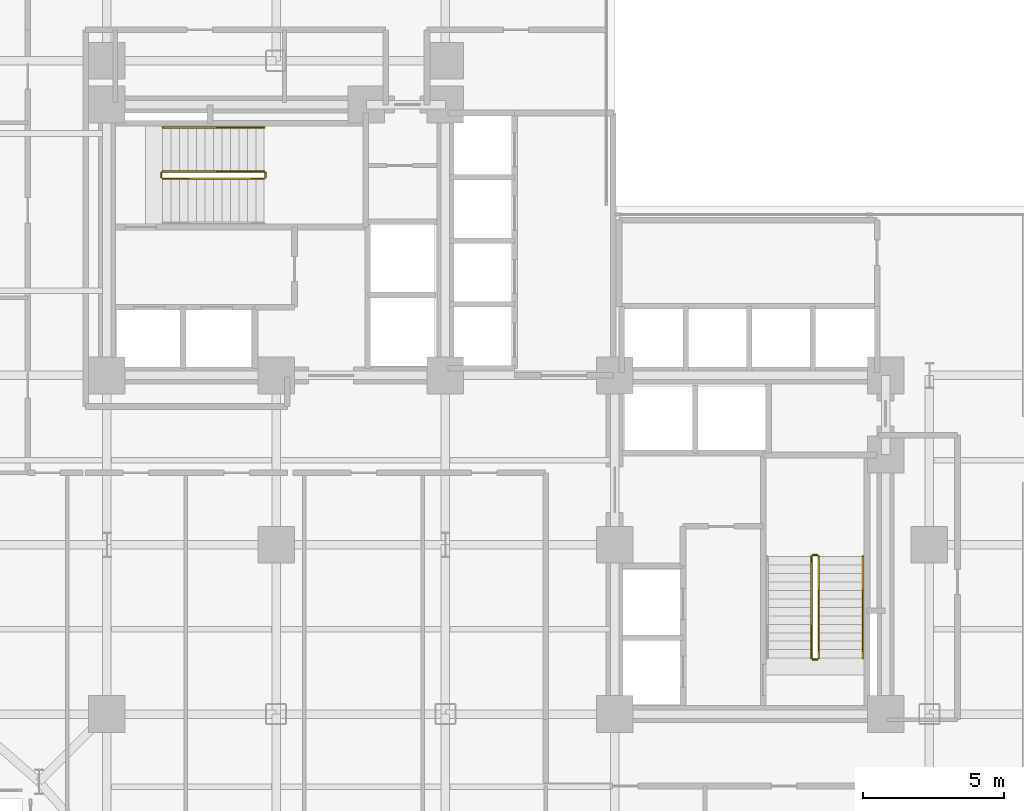
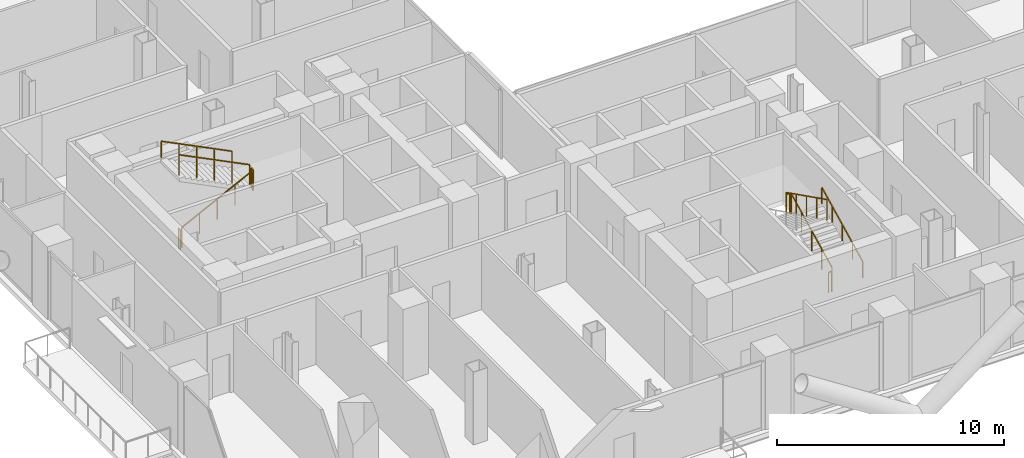
# One storey, part 25 of 25: 10 railings.
"""IFC4 building model written with IfcOpenShell, lengths in metres."""

from ifc_helpers import new_model, si_unit, direction, frame, origin, origin_2d, place, context, subcontext, project, spatial, rectangle, extrude, material, type_object, element, save


model = new_model("IFC4")

# Units and contexts
model_context = context("Model", 3, precision=1e-05, world=origin(), true_north=direction((0.0, 1.0)))
body_context = subcontext(model_context, "Body", "Model", "MODEL_VIEW")
ifc_project = project(units=[si_unit("LENGTHUNIT", "METRE"), si_unit("AREAUNIT", "SQUARE_METRE"), si_unit("VOLUMEUNIT", "CUBIC_METRE"), si_unit("PLANEANGLEUNIT", "RADIAN"), si_unit("MASSUNIT", "GRAM", prefix="KILO"), si_unit("THERMODYNAMICTEMPERATUREUNIT", "KELVIN"), si_unit("POWERUNIT", "WATT")], contexts=[model_context])

# Site, building, storey
site_placement = place(None, origin())
site = spatial("IfcSite", under=ifc_project, at=site_placement, CompositionType="ELEMENT")
building_placement = place(site_placement, origin())
building = spatial("IfcBuilding", under=site, at=building_placement, Name="Svarakhadi Broadcast Tower", CompositionType="ELEMENT")
storey_placement = place(building_placement, frame((0.0, 0.0, 48.0)))
storey = spatial("IfcBuildingStorey", under=building, at=storey_placement, Name="L10", CompositionType="ELEMENT", Elevation=48.0)

# Railings
ifc_material = material(Name="Anodised Bronze Aluminium AA 6063-T6", Category="aluminium")
railing_type_1 = type_object("IfcRailingType", Name="Guard_Stair_GR01", PredefinedType="GUARDRAIL", material=ifc_material)
railing_1_placement = place(storey_placement, frame((7.97998046875, 24.969970703125, 0.14990234375)))
element("IfcRailing", 1, at=railing_1_placement, inside=storey, type_object=railing_type_1, Name="L10 ST-01 stair guard 1", PredefinedType="GUARDRAIL", context=body_context, shape_type="SweptSolid", body=[
    extrude(rectangle(XDim=0.048095703125, YDim=0.048095703125, at=origin_2d()), frame((0.0, 0.0, 1.09619140625), z_axis=(0.894427191, 0.0, 0.4472135955), x_axis=(0.0, 1.0, 0.0)), (0.0, 0.0, 1.0), 4.025146484375),
    extrude(rectangle(XDim=0.0419921875, YDim=0.0419921875, at=origin_2d()), origin(), (0.0, 0.0, 1.0), 1.072021484375),
    extrude(rectangle(XDim=0.0419921875, YDim=0.0419921875, at=origin_2d()), frame((0.89990234375, 0.0, 0.449951171875)), (0.0, 0.0, 1.0), 1.072021484375),
    extrude(rectangle(XDim=0.0419921875, YDim=0.0419921875, at=origin_2d()), frame((1.800048828125, 0.0, 0.89990234375)), (0.0, 0.0, 1.0), 1.072021484375),
    extrude(rectangle(XDim=0.0419921875, YDim=0.0419921875, at=origin_2d()), frame((2.7001953125, 0.0, 1.35009765625)), (0.0, 0.0, 1.0), 1.072021484375),
    extrude(rectangle(XDim=0.0419921875, YDim=0.0419921875, at=origin_2d()), frame((3.60009765625, 0.0, 1.800048828125)), (0.0, 0.0, 1.0), 1.072021484375),
])
railing_2_placement = place(storey_placement, frame((11.6298828125, 25.02001953125, 1.949951171875)))
element("IfcRailing", 2, at=railing_2_placement, inside=storey, type_object=railing_type_1, Name="L10 ST-01 stair guard 2", PredefinedType="GUARDRAIL", context=body_context, shape_type="SweptSolid", body=[
    extrude(rectangle(XDim=0.048095703125, YDim=0.048095703125, at=origin_2d()), frame((0.0, 0.0, 1.09619140625), z_axis=(0.0, 1.0, 0.0), x_axis=(-1.0, 0.0, 0.0)), (0.0, 0.0, 1.0), 0.159912109375),
    extrude(rectangle(XDim=0.0419921875, YDim=0.0419921875, at=origin_2d()), origin(), (0.0, 0.0, 1.0), 1.072021484375),
    extrude(rectangle(XDim=0.0419921875, YDim=0.0419921875, at=origin_2d()), frame((0.0, 0.159912109375, 0.0)), (0.0, 0.0, 1.0), 1.072021484375),
])
railing_3_placement = place(storey_placement, frame((11.580078125, 25.22998046875, 2.10009765625)))
element("IfcRailing", 3, at=railing_3_placement, inside=storey, type_object=railing_type_1, Name="L10 ST-01 stair guard 3", PredefinedType="GUARDRAIL", context=body_context, shape_type="SweptSolid", body=[
    extrude(rectangle(XDim=0.048095703125, YDim=0.048095703125, at=origin_2d()), frame((0.0, 0.0, 1.09619140625), z_axis=(-0.894451452574, 0.0, 0.447165069061), x_axis=(0.0, -1.0, 0.0)), (0.0, 0.0, 1.0), 4.02490234375),
    extrude(rectangle(XDim=0.0419921875, YDim=0.0419921875, at=origin_2d()), origin(), (0.0, 0.0, 1.0), 1.072021484375),
    extrude(rectangle(XDim=0.0419921875, YDim=0.0419921875, at=origin_2d()), frame((-0.89990234375, 0.0, 0.449951171875)), (0.0, 0.0, 1.0), 1.072021484375),
    extrude(rectangle(XDim=0.0419921875, YDim=0.0419921875, at=origin_2d()), frame((-1.800048828125, 0.0, 0.89990234375)), (0.0, 0.0, 1.0), 1.072021484375),
    extrude(rectangle(XDim=0.0419921875, YDim=0.0419921875, at=origin_2d()), frame((-2.7001953125, 0.0, 1.349853515625)), (0.0, 0.0, 1.0), 1.072021484375),
    extrude(rectangle(XDim=0.0419921875, YDim=0.0419921875, at=origin_2d()), frame((-3.60009765625, 0.0, 1.7998046875)), (0.0, 0.0, 1.0), 1.072021484375),
])
railing_4_placement = place(storey_placement, frame((7.929931640625, 25.02001953125, 0.0)))
element("IfcRailing", 4, at=railing_4_placement, inside=storey, type_object=railing_type_1, Name="L10 ST-01 stair guard 4", PredefinedType="GUARDRAIL", context=body_context, shape_type="SweptSolid", body=[
    extrude(rectangle(XDim=0.048095703125, YDim=0.048095703125, at=origin_2d()), frame((0.0, 0.0, 1.09619140625), z_axis=(0.0, 1.0, 0.0), x_axis=(-1.0, 0.0, 0.0)), (0.0, 0.0, 1.0), 0.159912109375),
    extrude(rectangle(XDim=0.0419921875, YDim=0.0419921875, at=origin_2d()), origin(), (0.0, 0.0, 1.0), 1.072021484375),
    extrude(rectangle(XDim=0.0419921875, YDim=0.0419921875, at=origin_2d()), frame((0.0, 0.159912109375, 0.0)), (0.0, 0.0, 1.0), 1.072021484375),
])
railing_5_placement = place(storey_placement, frame((31.22998046875, 7.97998046875, 0.14990234375)))
element("IfcRailing", 5, at=railing_5_placement, inside=storey, type_object=railing_type_1, Name="L10 ST-02 stair guard 1", PredefinedType="GUARDRAIL", context=body_context, shape_type="SweptSolid", body=[
    extrude(rectangle(XDim=0.048095703125, YDim=0.048095703125, at=origin_2d()), frame((0.0, 0.0, 1.09619140625), z_axis=(0.0, 0.894427191, 0.4472135955), x_axis=(-1.0, 0.0, 0.0)), (0.0, 0.0, 1.0), 4.025146484375),
    extrude(rectangle(XDim=0.0419921875, YDim=0.0419921875, at=origin_2d()), origin(), (0.0, 0.0, 1.0), 1.072021484375),
    extrude(rectangle(XDim=0.0419921875, YDim=0.0419921875, at=origin_2d()), frame((0.0, 0.89990234375, 0.449951171875)), (0.0, 0.0, 1.0), 1.072021484375),
    extrude(rectangle(XDim=0.0419921875, YDim=0.0419921875, at=origin_2d()), frame((0.0, 1.800048828125, 0.89990234375)), (0.0, 0.0, 1.0), 1.072021484375),
    extrude(rectangle(XDim=0.0419921875, YDim=0.0419921875, at=origin_2d()), frame((0.0, 2.7001953125, 1.35009765625)), (0.0, 0.0, 1.0), 1.072021484375),
    extrude(rectangle(XDim=0.0419921875, YDim=0.0419921875, at=origin_2d()), frame((0.0, 3.60009765625, 1.800048828125)), (0.0, 0.0, 1.0), 1.072021484375),
])
railing_6_placement = place(storey_placement, frame((31.179931640625, 11.6298828125, 1.949951171875)))
element("IfcRailing", 6, at=railing_6_placement, inside=storey, type_object=railing_type_1, Name="L10 ST-02 stair guard 2", PredefinedType="GUARDRAIL", context=body_context, shape_type="SweptSolid", body=[
    extrude(rectangle(XDim=0.048095703125, YDim=0.048095703125, at=origin_2d()), frame((0.0, 0.0, 1.09619140625), z_axis=(-1.0, 0.0, 0.0), x_axis=(0.0, -1.0, 0.0)), (0.0, 0.0, 1.0), 0.159912109375),
    extrude(rectangle(XDim=0.0419921875, YDim=0.0419921875, at=origin_2d()), origin(), (0.0, 0.0, 1.0), 1.072021484375),
    extrude(rectangle(XDim=0.0419921875, YDim=0.0419921875, at=origin_2d()), frame((-0.159912109375, 0.0, 0.0)), (0.0, 0.0, 1.0), 1.072021484375),
])
railing_7_placement = place(storey_placement, frame((30.969970703125, 11.580078125, 2.10009765625)))
element("IfcRailing", 7, at=railing_7_placement, inside=storey, type_object=railing_type_1, Name="L10 ST-02 stair guard 3", PredefinedType="GUARDRAIL", context=body_context, shape_type="SweptSolid", body=[
    extrude(rectangle(XDim=0.048095703125, YDim=0.048095703125, at=origin_2d()), frame((0.0, 0.0, 1.09619140625), z_axis=(0.0, -0.894451452574, 0.447165069061), x_axis=(1.0, 0.0, 0.0)), (0.0, 0.0, 1.0), 4.02490234375),
    extrude(rectangle(XDim=0.0419921875, YDim=0.0419921875, at=origin_2d()), origin(), (0.0, 0.0, 1.0), 1.072021484375),
    extrude(rectangle(XDim=0.0419921875, YDim=0.0419921875, at=origin_2d()), frame((0.0, -0.89990234375, 0.449951171875)), (0.0, 0.0, 1.0), 1.072021484375),
    extrude(rectangle(XDim=0.0419921875, YDim=0.0419921875, at=origin_2d()), frame((0.0, -1.800048828125, 0.89990234375)), (0.0, 0.0, 1.0), 1.072021484375),
    extrude(rectangle(XDim=0.0419921875, YDim=0.0419921875, at=origin_2d()), frame((0.0, -2.7001953125, 1.349853515625)), (0.0, 0.0, 1.0), 1.072021484375),
    extrude(rectangle(XDim=0.0419921875, YDim=0.0419921875, at=origin_2d()), frame((0.0, -3.60009765625, 1.7998046875)), (0.0, 0.0, 1.0), 1.072021484375),
])
railing_8_placement = place(storey_placement, frame((31.179931640625, 7.929931640625, 0.0)))
element("IfcRailing", 8, at=railing_8_placement, inside=storey, type_object=railing_type_1, Name="L10 ST-02 stair guard 4", PredefinedType="GUARDRAIL", context=body_context, shape_type="SweptSolid", body=[
    extrude(rectangle(XDim=0.048095703125, YDim=0.048095703125, at=origin_2d()), frame((0.0, 0.0, 1.09619140625), z_axis=(-1.0, 0.0, 0.0), x_axis=(0.0, -1.0, 0.0)), (0.0, 0.0, 1.0), 0.159912109375),
    extrude(rectangle(XDim=0.0419921875, YDim=0.0419921875, at=origin_2d()), origin(), (0.0, 0.0, 1.0), 1.072021484375),
    extrude(rectangle(XDim=0.0419921875, YDim=0.0419921875, at=origin_2d()), frame((-0.159912109375, 0.0, 0.0)), (0.0, 0.0, 1.0), 1.072021484375),
])
railing_type_2 = type_object("IfcRailingType", Name="Handrail_Stair_HR01", PredefinedType="HANDRAIL", material=ifc_material)
railing_9_placement = place(storey_placement, frame((11.580078125, 26.7900390625, 2.10009765625)))
element("IfcRailing", 9, at=railing_9_placement, inside=storey, type_object=railing_type_2, Name="L10 ST-01 stair handrail 2", PredefinedType="HANDRAIL", context=body_context, shape_type="SweptSolid", body=[
    extrude(rectangle(XDim=0.048095703125, YDim=0.048095703125, at=origin_2d()), frame((0.0, 0.0, 0.8759765625), z_axis=(-0.894451452574, 0.0, 0.447165069061), x_axis=(0.0, -1.0, 0.0)), (0.0, 0.0, 1.0), 4.02490234375),
    extrude(rectangle(XDim=0.0419921875, YDim=0.0419921875, at=origin_2d()), origin(), (0.0, 0.0, 1.0), 0.851806640625),
    extrude(rectangle(XDim=0.0419921875, YDim=0.0419921875, at=origin_2d()), frame((-0.89990234375, 0.0, 0.449951171875)), (0.0, 0.0, 1.0), 0.851806640625),
    extrude(rectangle(XDim=0.0419921875, YDim=0.0419921875, at=origin_2d()), frame((-1.800048828125, 0.0, 0.89990234375)), (0.0, 0.0, 1.0), 0.851806640625),
    extrude(rectangle(XDim=0.0419921875, YDim=0.0419921875, at=origin_2d()), frame((-2.7001953125, 0.0, 1.349853515625)), (0.0, 0.0, 1.0), 0.851806640625),
    extrude(rectangle(XDim=0.0419921875, YDim=0.0419921875, at=origin_2d()), frame((-3.60009765625, 0.0, 1.7998046875)), (0.0, 0.0, 1.0), 0.851806640625),
])
railing_10_placement = place(storey_placement, frame((32.7900390625, 7.97998046875, 0.14990234375)))
element("IfcRailing", 10, at=railing_10_placement, inside=storey, type_object=railing_type_2, Name="L10 ST-02 stair handrail 1", PredefinedType="HANDRAIL", context=body_context, shape_type="SweptSolid", body=[
    extrude(rectangle(XDim=0.048095703125, YDim=0.048095703125, at=origin_2d()), frame((0.0, 0.0, 0.8759765625), z_axis=(0.0, 0.894427191, 0.4472135955), x_axis=(-1.0, 0.0, 0.0)), (0.0, 0.0, 1.0), 4.025146484375),
    extrude(rectangle(XDim=0.0419921875, YDim=0.0419921875, at=origin_2d()), origin(), (0.0, 0.0, 1.0), 0.851806640625),
    extrude(rectangle(XDim=0.0419921875, YDim=0.0419921875, at=origin_2d()), frame((0.0, 0.89990234375, 0.449951171875)), (0.0, 0.0, 1.0), 0.851806640625),
    extrude(rectangle(XDim=0.0419921875, YDim=0.0419921875, at=origin_2d()), frame((0.0, 1.800048828125, 0.89990234375)), (0.0, 0.0, 1.0), 0.851806640625),
    extrude(rectangle(XDim=0.0419921875, YDim=0.0419921875, at=origin_2d()), frame((0.0, 2.7001953125, 1.35009765625)), (0.0, 0.0, 1.0), 0.851806640625),
    extrude(rectangle(XDim=0.0419921875, YDim=0.0419921875, at=origin_2d()), frame((0.0, 3.60009765625, 1.800048828125)), (0.0, 0.0, 1.0), 0.851806640625),
])

save(model, "model.ifc")
